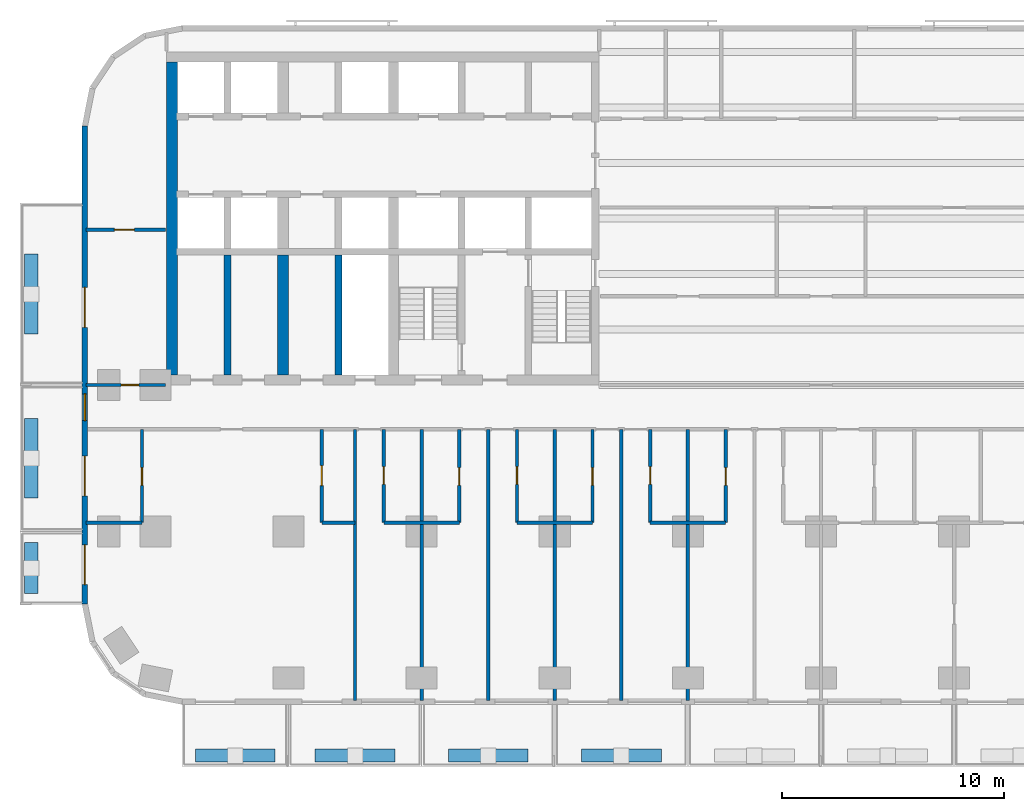
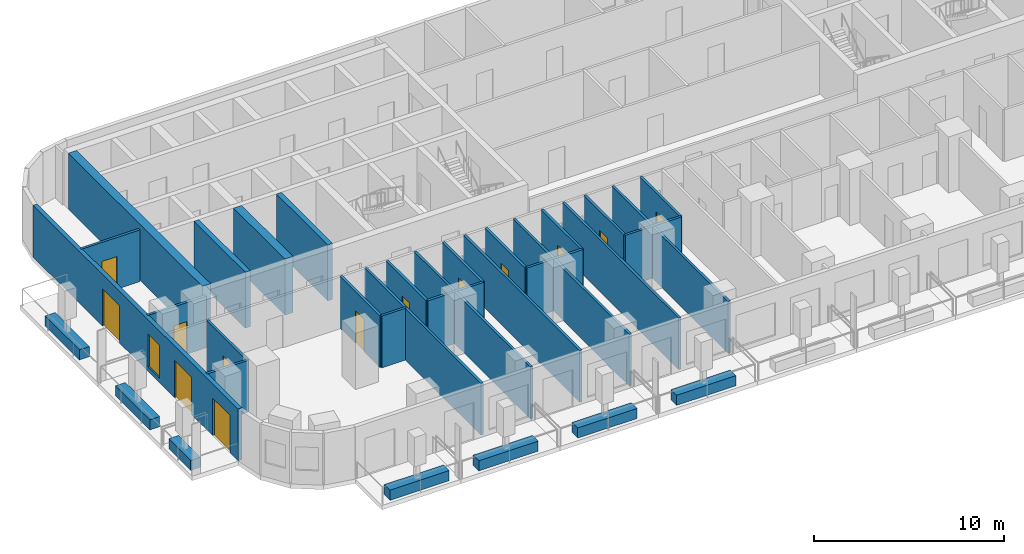
# One storey, part 2 of 13: 33 walls, 13 doors, 1 window, 14 openings.
"""IFC4 building model written with IfcOpenShell, lengths in metres."""

import ifcopenshell
import ifcopenshell.guid

model = None  # the IFC model being written
_history = None  # IfcOwnerHistory: only IFC2X3 demands one
_inside = {}  # id of a spatial element -> (the spatial element, [elements in it])
_under = {}  # id of a project, library or spatial element -> (it, [spatial elements below it])
_declared = {}  # id of a project -> (the project, [libraries it declares])
_typed = {}  # id of a type object -> (the type object, [elements of that type])
_made_of = {}  # id of a material, layer set ... -> (it, [elements and type objects made of it])


def new_model(schema):
    """Start an empty IFC model of exactly this schema.

    Asked for "IFC4X3", IfcOpenShell would pick the latest addendum, in which some entities
    have other attributes; the version numbers below select the first issue.
    IFC2X3 requires an IfcOwnerHistory on every rooted entity: one is made here for all.
    """
    global model, _history
    if schema == "IFC4X3":
        model = ifcopenshell.file(schema_version=(4, 3, 0, 0))
    else:
        model = ifcopenshell.file(schema=schema)
    _inside.clear()
    _under.clear()
    _declared.clear()
    _typed.clear()
    _made_of.clear()
    _history = None
    if model.schema == "IFC2X3":
        org = make("IfcOrganization", Name="unknown")
        user = make(
            "IfcPersonAndOrganization",
            ThePerson=make("IfcPerson", FamilyName="unknown"),
            TheOrganization=org,
        )
        app = make(
            "IfcApplication",
            ApplicationDeveloper=org,
            Version="unknown",
            ApplicationFullName="unknown",
            ApplicationIdentifier="unknown",
        )
        _history = make(
            "IfcOwnerHistory",
            OwningUser=user,
            OwningApplication=app,
            ChangeAction="ADDED",
            CreationDate=0,
        )
    return model


def make(cls, **values):
    """One entity of the class cls with the attributes given. An attribute that is None is left unset."""
    return model.create_entity(
        cls, **{name: value for name, value in values.items() if value is not None}
    )


def rooted(cls, **values):
    """An entity with a GlobalId (a new one), such as an element, a storey or a relation."""
    return make(cls, GlobalId=ifcopenshell.guid.new(), OwnerHistory=_history, **values)


def si_unit(unit_type, name, prefix=None):
    """IfcSIUnit, for example si_unit("LENGTHUNIT", "METRE", prefix="MILLI")."""
    return make("IfcSIUnit", UnitType=unit_type, Prefix=prefix, Name=name)


def assignment(units):
    """IfcUnitAssignment: the units of a project."""
    return None if units is None else make("IfcUnitAssignment", Units=units)


def point(xyz):
    """IfcCartesianPoint."""
    return None if xyz is None else make("IfcCartesianPoint", Coordinates=xyz)


def direction(xyz):
    """IfcDirection."""
    return None if xyz is None else make("IfcDirection", DirectionRatios=xyz)


def frame(location, z_axis=None, x_axis=None):
    """IfcAxis2Placement3D, a coordinate frame: its origin and axes. An axis left out is left unset."""
    return make(
        "IfcAxis2Placement3D",
        Location=point(location),
        Axis=direction(z_axis),
        RefDirection=direction(x_axis),
    )


def frame_2d(location, x_axis=None):
    """IfcAxis2Placement2D, a coordinate frame in the plane: its origin and x axis."""
    return make(
        "IfcAxis2Placement2D", Location=point(location), RefDirection=direction(x_axis)
    )


def origin():
    """The frame at (0, 0, 0) with its axes left unset."""
    return frame((0.0, 0.0, 0.0))


def place(relative_to, where):
    """IfcLocalPlacement: puts the frame where relative to a parent placement (None: the world)."""
    return make(
        "IfcLocalPlacement", PlacementRelTo=relative_to, RelativePlacement=where
    )


def context(
    kind, dimensions, precision=None, world=None, true_north=None, identifier=None
):
    """IfcGeometricRepresentationContext, for example the 3D "Model" context."""
    return make(
        "IfcGeometricRepresentationContext",
        ContextIdentifier=identifier,
        ContextType=kind,
        CoordinateSpaceDimension=dimensions,
        Precision=precision,
        WorldCoordinateSystem=world,
        TrueNorth=true_north,
    )


def subcontext(parent, identifier, kind, view, scale=None):
    """IfcGeometricRepresentationSubContext, for example "Body" below "Model"."""
    return make(
        "IfcGeometricRepresentationSubContext",
        ContextIdentifier=identifier,
        ContextType=kind,
        ParentContext=parent,
        TargetScale=scale,
        TargetView=view,
    )


def project(units=None, contexts=None):
    """IfcProject with its units and contexts."""
    return rooted(
        "IfcProject",
        Name="project",
        RepresentationContexts=contexts,
        UnitsInContext=assignment(units),
    )


def spatial(cls, under=None, at=None, **own):
    """A site, building, storey or space (cls), placed at a placement, below another one or the project."""
    s = rooted(cls, ObjectPlacement=at, **own)
    if under is not None:
        _under.setdefault(under.id(), (under, []))[1].append(s)
    return s


def profile(cls, at=None, kind="AREA", **sizes):
    """A parametric profile (cls). Its sizes go by their IFC names, for example OverallWidth=200.0."""
    return make(cls, ProfileType=kind, Position=at, **sizes)


def rectangle(**sizes):
    """IfcRectangleProfileDef."""
    return profile("IfcRectangleProfileDef", **sizes)


def extrude(swept, where, along, depth):
    """IfcExtrudedAreaSolid: the profile swept, set in the frame where, extruded along a direction by depth."""
    return make(
        "IfcExtrudedAreaSolid",
        SweptArea=swept,
        Position=where,
        ExtrudedDirection=direction(along),
        Depth=depth,
    )


def shape(context_of_items, identifier, shape_type, items):
    """IfcShapeRepresentation: the items that make up one representation, for example the "Body"."""
    return make(
        "IfcShapeRepresentation",
        ContextOfItems=context_of_items,
        RepresentationIdentifier=identifier,
        RepresentationType=shape_type,
        Items=items,
    )


def material(Name=None, Category=None):
    """IfcMaterial."""
    return make("IfcMaterial", Name=Name, Category=Category)


def layer(
    of_material, thickness, ventilated=None, Name=None, Category=None, Priority=None
):
    """IfcMaterialLayer: one layer of a wall or slab, of a material (None: an air gap)."""
    return make(
        "IfcMaterialLayer",
        Material=of_material,
        LayerThickness=thickness,
        IsVentilated=ventilated,
        Name=Name,
        Category=Category,
        Priority=Priority,
    )


def layer_set(layers, Name=None):
    """IfcMaterialLayerSet."""
    return make("IfcMaterialLayerSet", MaterialLayers=layers, LayerSetName=Name)


def made_of(thing, what):
    """Note that an element or type object is made of a material, layer set ...; save() writes the relation."""
    if what is not None:
        _made_of.setdefault(what.id(), (what, []))[1].append(thing)
    return thing


def type_object(cls, material=None, **own):
    """A type object (cls), such as IfcWallType, which elements share."""
    return made_of(rooted(cls, **own), material)


def element(
    cls,
    number,
    at=None,
    inside=None,
    cuts=None,
    type_object=None,
    material=None,
    context=None,
    identifier="Body",
    shape_type=None,
    held_by="IfcProductDefinitionShape",
    body=None,
    shapes=None,
    **own,
):
    """One element of the class cls, such as IfcWall. Its Tag is "e" and its number.

    at: its placement. inside: the storey or other place that contains it. cuts: it is an
    opening in that element (IfcRelVoidsElement). A single representation is given by context,
    identifier, shape_type and body (its items); several are given by shapes. held_by: the class
    of the entity that holds the representations. save() writes the other relations.
    """
    e = rooted(cls, Tag="e%d" % number, ObjectPlacement=at, **own)
    if body is not None:
        shapes = [shape(context, identifier, shape_type, body)]
    if shapes is not None:
        e.Representation = make(held_by, Representations=shapes)
    if inside is not None:
        _inside.setdefault(inside.id(), (inside, []))[1].append(e)
    if cuts is not None:
        rooted(
            "IfcRelVoidsElement", RelatingBuildingElement=cuts, RelatedOpeningElement=e
        )
    if type_object is not None:
        _typed.setdefault(type_object.id(), (type_object, []))[1].append(e)
    return made_of(e, material)


def fill(opening, filler):
    """IfcRelFillsElement: the door or window that sits in an opening."""
    return rooted(
        "IfcRelFillsElement",
        RelatingOpeningElement=opening,
        RelatedBuildingElement=filler,
    )


def aggregate(whole, parts):
    """IfcRelAggregates: a whole, such as a stair, and the parts it consists of."""
    return rooted("IfcRelAggregates", RelatingObject=whole, RelatedObjects=parts)


def save(model, path):
    """Write the relations noted so far, then the file.

    IfcRelAggregates (storeys below a building ...), IfcRelContainedInSpatialStructure (elements
    in a storey), IfcRelDefinesByType, IfcRelAssociatesMaterial and IfcRelDeclares: one each for
    every whole, place, type object, material and project.
    """
    for whole, parts in _under.values():
        aggregate(whole, parts)
    for where, things in _inside.values():
        rooted(
            "IfcRelContainedInSpatialStructure",
            RelatedElements=things,
            RelatingStructure=where,
        )
    for kind, things in _typed.values():
        rooted("IfcRelDefinesByType", RelatedObjects=things, RelatingType=kind)
    for what, things in _made_of.values():
        rooted("IfcRelAssociatesMaterial", RelatedObjects=things, RelatingMaterial=what)
    for by, libraries in _declared.values():
        rooted("IfcRelDeclares", RelatingContext=by, RelatedDefinitions=libraries)
    model.write(path)


model = new_model("IFC4")

# Units and contexts
model_context = context("Model", 3, precision=1e-05, world=origin(), true_north=direction((0.0, 1.0)))
body_context = subcontext(model_context, "Body", "Model", "MODEL_VIEW")
ifc_project = project(units=[si_unit("LENGTHUNIT", "METRE"), si_unit("AREAUNIT", "SQUARE_METRE"), si_unit("VOLUMEUNIT", "CUBIC_METRE"), si_unit("PLANEANGLEUNIT", "RADIAN"), si_unit("MASSUNIT", "GRAM", prefix="KILO")], contexts=[model_context])

# Site, building, storey
site_placement = place(None, origin())
site = spatial("IfcSite", under=ifc_project, at=site_placement, CompositionType="ELEMENT")
building_placement = place(site_placement, origin())
building = spatial("IfcBuilding", under=site, at=building_placement, Name="Torana Hotel and Residences", CompositionType="ELEMENT")
storey_placement = place(building_placement, frame((0.0, 0.0, 60.0)))
storey = spatial("IfcBuildingStorey", under=building, at=storey_placement, Name="L14", CompositionType="ELEMENT", Elevation=60.0)

# Walls
ifc_material_1 = material(Name="Concrete C80/95", Category="concrete")
ifc_layer_1 = layer(ifc_material_1, 0.300048828125)
ifc_layer_set_1 = layer_set([ifc_layer_1], Name="CORE WALL 300 C80/95")
wall_type_1 = type_object("IfcWallType", Name="CORE WALL 300 C80/95", PredefinedType="SHEAR", material=ifc_layer_set_1)
for number, where, z_axis, x_axis, name in (
    (1, (-21.75, -14.550048828125, 0.0), (0.0, 0.0, 1.0), (0.0, 1.0, 0.0), "Core wall W mm-band"),
    (2, (-26.75, -14.550048828125, 0.0), (0.0, 0.0, 1.0), (0.0, 1.0, 0.0), "Core wall W ll-band"),
):
    element("IfcWall", number, at=place(storey_placement, frame(where, z_axis=z_axis, x_axis=x_axis)), inside=storey, type_object=wall_type_1, Name=name, PredefinedType="SHEAR", context=body_context, shape_type="SweptSolid", body=[
        extrude(rectangle(XDim=5.400146484375, YDim=0.300048828125, at=frame_2d((2.7001953125, 0.0))), origin(), (0.0, 0.0, 1.0), 3.60009765625),
    ])
ifc_material_2 = material(Name="Concrete C80/95", Category="concrete")
ifc_layer_2 = layer(ifc_material_2, 0.5)
ifc_layer_set_2 = layer_set([ifc_layer_2], Name="CORE WALL 500 C80/95")
wall_type_2 = type_object("IfcWallType", Name="CORE WALL 500 C80/95", PredefinedType="SHEAR", material=ifc_layer_set_2)
wall_1_placement = place(storey_placement, frame((-29.25, -14.550048828125, 0.0), z_axis=(0.0, 0.0, 1.0), x_axis=(0.0, 1.0, 0.0)))
element("IfcWall", 3, at=wall_1_placement, inside=storey, type_object=wall_type_2, Name="Core wall W outer", PredefinedType="SHEAR", context=body_context, shape_type="SweptSolid", body=[
    extrude(rectangle(XDim=14.10009765625, YDim=0.5, at=frame_2d((7.050048828125, 0.0))), origin(), (0.0, 0.0, 1.0), 3.60009765625),
])
wall_2_placement = place(storey_placement, frame((-24.25, -14.550048828125, 0.0), z_axis=(0.0, 0.0, 1.0), x_axis=(0.0, 1.0, 0.0)))
element("IfcWall", 4, at=wall_2_placement, inside=storey, type_object=wall_type_2, Name="Core wall W ml-band", PredefinedType="SHEAR", context=body_context, shape_type="SweptSolid", body=[
    extrude(rectangle(XDim=5.400146484375, YDim=0.5, at=frame_2d((2.7001953125, 0.0))), origin(), (0.0, 0.0, 1.0), 3.60009765625),
])

# Wall, openings, doors, window
ifc_material_3 = material(Name="Black aluminium composite panel", Category="aluminium")
ifc_layer_3 = layer(ifc_material_3, 0.00390625, Name="Cladding", Category="cladding")
ifc_material_4 = material(Name="Ventilated air cavity")
ifc_layer_4 = layer(ifc_material_4, 0.0400390625, Name="Ventilated cavity", Category="cavity")
ifc_material_5 = material(Name="Mineral wool insulation")
ifc_layer_5 = layer(ifc_material_5, 0.090087890625, Name="Insulation", Category="insulation")
ifc_material_6 = material(Name="Steel S280GD", Category="steel")
ifc_layer_6 = layer(ifc_material_6, 0.092041015625, Name="Steel stud frame", Category="structure")
ifc_material_7 = material(Name="Fire rated plasterboard")
ifc_layer_7 = layer(ifc_material_7, 0.011962890625, Name="Inner board", Category="finish")
ifc_layer_8 = layer(ifc_material_7, 0.011962890625, Name="Second board", Category="finish")
ifc_layer_set_3 = layer_set([ifc_layer_3, ifc_layer_4, ifc_layer_5, ifc_layer_6, ifc_layer_7, ifc_layer_8], Name="EW1 EXTERNAL WALL BLACK METAL CLAD 250")
wall_type_3 = type_object("IfcWallType", Name="EW1 EXTERNAL WALL BLACK METAL CLAD 250", PredefinedType="SOLIDWALL", material=ifc_layer_set_3)
wall_3_placement = place(storey_placement, frame((-33.175048828125, -3.32470703125, 0.0), z_axis=(0.0, 0.0, 1.0), x_axis=(0.0, -1.0, 0.0)))
wall_3 = element("IfcWall", 5, at=wall_3_placement, inside=storey, type_object=wall_type_3, Name="External wall L14 e0.9", PredefinedType="SOLIDWALL", context=body_context, shape_type="SweptSolid", body=[
    extrude(rectangle(XDim=21.55078125, YDim=0.25, at=frame_2d((10.775390625, 0.0))), origin(), (0.0, 0.0, 1.0), 3.320068359375),
])
opening_1_placement = place(wall_3_placement, frame((7.275390625, 0.0, 0.0)))
opening_1 = element("IfcOpeningElement", 6, at=opening_1_placement, cuts=wall_3, Name="Opening L14-E14", PredefinedType="OPENING", context=body_context, shape_type="SweptSolid", body=[
    extrude(rectangle(XDim=1.800048828125, YDim=2.39990234375, at=frame_2d((0.89990234375, 1.199951171875))), frame((0.0, 0.135009765625, 0.0), z_axis=(0.0, -1.0, 0.0), x_axis=(1.0, 0.0, 0.0)), (0.0, 0.0, 1.0), 0.27001953125),
])
opening_2_placement = place(wall_3_placement, frame((12.075439453125, 0.0, 0.300048828125)))
opening_2 = element("IfcOpeningElement", 7, at=opening_2_placement, cuts=wall_3, Name="Opening W7", PredefinedType="OPENING", context=body_context, shape_type="SweptSolid", body=[
    extrude(rectangle(XDim=1.199951171875, YDim=2.10009765625, at=frame_2d((0.60009765625, 1.050048828125))), frame((0.0, 0.135009765625, 0.0), z_axis=(0.0, -1.0, 0.0), x_axis=(1.0, 0.0, 0.0)), (0.0, 0.0, 1.0), 0.27001953125),
])
opening_3_placement = place(wall_3_placement, frame((14.87548828125, 0.0, 0.0)))
opening_3 = element("IfcOpeningElement", 8, at=opening_3_placement, cuts=wall_3, Name="Opening L14-E15", PredefinedType="OPENING", context=body_context, shape_type="SweptSolid", body=[
    extrude(rectangle(XDim=1.800048828125, YDim=2.39990234375, at=frame_2d((0.89990234375, 1.199951171875))), frame((0.0, 0.135009765625, 0.0), z_axis=(0.0, -1.0, 0.0), x_axis=(1.0, 0.0, 0.0)), (0.0, 0.0, 1.0), 0.27001953125),
])
opening_4_placement = place(wall_3_placement, frame((18.87548828125, 0.0, 0.0)))
opening_4 = element("IfcOpeningElement", 9, at=opening_4_placement, cuts=wall_3, Name="Opening L14-E16", PredefinedType="OPENING", context=body_context, shape_type="SweptSolid", body=[
    extrude(rectangle(XDim=1.800048828125, YDim=2.39990234375, at=frame_2d((0.89990234375, 1.199951171875))), frame((0.0, 0.135009765625, 0.0), z_axis=(0.0, -1.0, 0.0), x_axis=(1.0, 0.0, 0.0)), (0.0, 0.0, 1.0), 0.27001953125),
])
ifc_material_8 = material(Name="Dark glass in black aluminium frame", Category="aluminium")
door_type_1 = type_object("IfcDoorType", Name="DB1 BALCONY DOOR 1800x2400", OperationType="DOUBLE_DOOR_SINGLE_SWING", PredefinedType="DOOR", material=ifc_material_8)
door_1_placement = place(opening_1_placement, origin())
door_1 = element("IfcDoor", 10, at=door_1_placement, inside=storey, type_object=door_type_1, Name="Balcony door L14", OperationType="DOUBLE_DOOR_SINGLE_SWING", OverallHeight=2.39990234375, OverallWidth=1.800048828125, PredefinedType="DOOR", context=body_context, shape_type="SweptSolid", body=[
    extrude(rectangle(XDim=1.800048828125, YDim=2.39990234375, at=frame_2d((0.89990234375, 1.199951171875))), frame((0.0, 0.02490234375, 0.0), z_axis=(0.0, -1.0, 0.0), x_axis=(1.0, 0.0, 0.0)), (0.0, 0.0, 1.0), 0.050048828125),
])
fill(opening_1, door_1)
door_2_placement = place(opening_3_placement, origin())
door_2 = element("IfcDoor", 11, at=door_2_placement, inside=storey, type_object=door_type_1, Name="Balcony door L14", OperationType="DOUBLE_DOOR_SINGLE_SWING", OverallHeight=2.39990234375, OverallWidth=1.800048828125, PredefinedType="DOOR", context=body_context, shape_type="SweptSolid", body=[
    extrude(rectangle(XDim=1.800048828125, YDim=2.39990234375, at=frame_2d((0.89990234375, 1.199951171875))), frame((0.0, 0.02490234375, 0.0), z_axis=(0.0, -1.0, 0.0), x_axis=(1.0, 0.0, 0.0)), (0.0, 0.0, 1.0), 0.050048828125),
])
fill(opening_3, door_2)
door_3_placement = place(opening_4_placement, frame((0.89990234375, 0.0, 0.0), z_axis=(0.0, 0.0, 1.0), x_axis=(-1.0, 0.0, 0.0)))
door_3 = element("IfcDoor", 12, at=door_3_placement, inside=storey, type_object=door_type_1, Name="Balcony door L14", OperationType="DOUBLE_DOOR_SINGLE_SWING", OverallHeight=2.39990234375, OverallWidth=1.800048828125, PredefinedType="DOOR", context=body_context, shape_type="SweptSolid", body=[
    extrude(rectangle(XDim=1.800048828125, YDim=2.39990234375, at=frame_2d((0.0, 1.199951171875))), frame((0.0, -0.02490234375, 0.0), z_axis=(0.0, 1.0, 0.0), x_axis=(-1.0, 0.0, 0.0)), (0.0, 0.0, 1.0), 0.050048828125),
])
fill(opening_4, door_3)
ifc_material_9 = material(Name="Dark glass in black aluminium frame", Category="aluminium")
window_type = type_object("IfcWindowType", Name="W7 HOTEL CORRIDOR WINDOW 1200x2100", PartitioningType="SINGLE_PANEL", PredefinedType="WINDOW", material=ifc_material_9)
window_placement = place(opening_2_placement, origin())
window = element("IfcWindow", 13, at=window_placement, inside=storey, type_object=window_type, Name="Window L14", OverallHeight=2.10009765625, OverallWidth=1.199951171875, PartitioningType="SINGLE_PANEL", PredefinedType="WINDOW", context=body_context, shape_type="SweptSolid", body=[
    extrude(rectangle(XDim=1.199951171875, YDim=2.10009765625, at=frame_2d((0.60009765625, 1.050048828125))), frame((0.0, 0.030029296875, 0.0), z_axis=(0.0, -1.0, 0.0), x_axis=(1.0, 0.0, 0.0)), (0.0, 0.0, 1.0), 0.06005859375),
])
fill(opening_2, window)

# Wall, opening, door
ifc_material_10 = material(Name="Gypsum plaster")
ifc_layer_9 = layer(ifc_material_10, 0.014892578125, Name="Plaster", Category="finish")
ifc_material_11 = material(Name="Concrete blockwork", Category="masonry")
ifc_layer_10 = layer(ifc_material_11, 0.1201171875, Name="Blockwork", Category="structure")
ifc_layer_11 = layer(ifc_material_10, 0.014892578125, Name="Plaster", Category="finish")
ifc_layer_set_4 = layer_set([ifc_layer_9, ifc_layer_10, ifc_layer_11], Name="FIRE PARTITION 150 BLOCKWORK")
wall_type_4 = type_object("IfcWallType", Name="FIRE PARTITION 150 BLOCKWORK", PredefinedType="PARTITIONING", material=ifc_layer_set_4)
wall_4_placement = place(storey_placement, frame((-33.1201171875, -15.0, 0.0), z_axis=(0.0, 0.0, 1.0), x_axis=(1.0, 0.0, 0.0)))
wall_4 = element("IfcWall", 14, at=wall_4_placement, inside=storey, type_object=wall_type_4, Name="Partition L14", PredefinedType="PARTITIONING", context=body_context, shape_type="SweptSolid", body=[
    extrude(rectangle(XDim=3.570068359375, YDim=0.14990234375, at=frame_2d((1.78515625, 0.0))), origin(), (0.0, 0.0, 1.0), 3.320068359375),
])
opening_5_placement = place(wall_4_placement, frame((1.580078125, 0.0, 0.0)))
opening_5 = element("IfcOpeningElement", 15, at=opening_5_placement, cuts=wall_4, Name="Opening L14-46", PredefinedType="OPENING", context=body_context, shape_type="SweptSolid", body=[
    extrude(rectangle(XDim=0.800048828125, YDim=2.10009765625, at=frame_2d((0.39990234375, 1.050048828125))), frame((0.0, 0.0849609375, 0.0), z_axis=(0.0, -1.0, 0.0), x_axis=(1.0, 0.0, 0.0)), (0.0, 0.0, 1.0), 0.169921875),
])
ifc_material_12 = material(Name="Steel S235", Category="steel")
door_type_2 = type_object("IfcDoorType", Name="STORE FIRE DOOR D16 800x2100", OperationType="SINGLE_SWING_LEFT", PredefinedType="DOOR", material=ifc_material_12)
door_4_placement = place(opening_5_placement, origin())
door_4 = element("IfcDoor", 16, at=door_4_placement, inside=storey, type_object=door_type_2, Name="Door L14", OperationType="SINGLE_SWING_RIGHT", OverallHeight=2.10009765625, OverallWidth=0.800048828125, PredefinedType="DOOR", context=body_context, shape_type="SweptSolid", body=[
    extrude(rectangle(XDim=0.800048828125, YDim=2.10009765625, at=frame_2d((0.39990234375, 1.050048828125))), frame((0.0, 0.02490234375, 0.0), z_axis=(0.0, -1.0, 0.0), x_axis=(1.0, 0.0, 0.0)), (0.0, 0.0, 1.0), 0.050048828125),
])
fill(opening_5, door_4)

ifc_material_13 = material(Name="Gypsum plasterboard")
ifc_layer_12 = layer(ifc_material_13, 0.012451171875, Name="Plasterboard", Category="finish")
ifc_layer_13 = layer(ifc_material_13, 0.012451171875, Name="Plasterboard", Category="finish")
ifc_layer_14 = layer(ifc_material_6, 0.10009765625, Name="Steel studs with mineral wool", Category="insulation")
ifc_layer_15 = layer(ifc_material_13, 0.012451171875, Name="Plasterboard", Category="finish")
ifc_layer_16 = layer(ifc_material_13, 0.012451171875, Name="Plasterboard", Category="finish")
ifc_layer_set_5 = layer_set([ifc_layer_12, ifc_layer_13, ifc_layer_14, ifc_layer_15, ifc_layer_16], Name="PARTITION 150 PLASTERBOARD")
wall_type_5 = type_object("IfcWallType", Name="PARTITION 150 PLASTERBOARD", PredefinedType="PARTITIONING", material=ifc_layer_set_5)
wall_5_placement = place(storey_placement, frame((-4.300048828125, -21.199951171875, 0.0), z_axis=(0.0, 0.0, 1.0), x_axis=(0.0, 1.0, 0.0)))
wall_5 = element("IfcWall", 17, at=wall_5_placement, inside=storey, type_object=wall_type_5, Name="Partition L14", PredefinedType="PARTITIONING", context=body_context, shape_type="SweptSolid", body=[
    extrude(rectangle(XDim=4.199951171875, YDim=0.14990234375, at=frame_2d((2.10009765625, 0.0))), origin(), (0.0, 0.0, 1.0), 3.320068359375),
])
opening_6_placement = place(wall_5_placement, frame((1.679931640625, 0.0, 0.0)))
opening_6 = element("IfcOpeningElement", 18, at=opening_6_placement, cuts=wall_5, Name="Opening L14-61", PredefinedType="OPENING", context=body_context, shape_type="SweptSolid", body=[
    extrude(rectangle(XDim=0.800048828125, YDim=2.10009765625, at=frame_2d((0.39990234375, 1.050048828125))), frame((0.0, 0.0849609375, 0.0), z_axis=(0.0, -1.0, 0.0), x_axis=(1.0, 0.0, 0.0)), (0.0, 0.0, 1.0), 0.169921875),
])
ifc_material_14 = material(Name="Timber door, painted", Category="wood")
door_type_3 = type_object("IfcDoorType", Name="BATH DOOR D13 800x2100", OperationType="SINGLE_SWING_LEFT", PredefinedType="DOOR", material=ifc_material_14)
door_5_placement = place(opening_6_placement, origin())
door_5 = element("IfcDoor", 19, at=door_5_placement, inside=storey, type_object=door_type_3, Name="Door L14", OperationType="SINGLE_SWING_RIGHT", OverallHeight=2.10009765625, OverallWidth=0.800048828125, PredefinedType="DOOR", context=body_context, shape_type="SweptSolid", body=[
    extrude(rectangle(XDim=0.800048828125, YDim=2.10009765625, at=frame_2d((0.39990234375, 1.050048828125))), frame((0.0, 0.02490234375, 0.0), z_axis=(0.0, -1.0, 0.0), x_axis=(1.0, 0.0, 0.0)), (0.0, 0.0, 1.0), 0.050048828125),
])
fill(opening_6, door_5)

# Wall
wall_6_placement = place(storey_placement, frame((-6.0, -29.219970703125, 0.0), z_axis=(0.0, 0.0, 1.0), x_axis=(0.0, 1.0, 0.0)))
element("IfcWall", 20, at=wall_6_placement, inside=storey, type_object=wall_type_5, Name="Partition L14", PredefinedType="PARTITIONING", context=body_context, shape_type="SweptSolid", body=[
    extrude(rectangle(XDim=12.219970703125, YDim=0.14990234375, at=frame_2d((6.10986328125, 0.0))), origin(), (0.0, 0.0, 1.0), 3.320068359375),
])

# Wall, opening, door
wall_7_placement = place(storey_placement, frame((-7.699951171875, -21.199951171875, 0.0), z_axis=(0.0, 0.0, 1.0), x_axis=(0.0, 1.0, 0.0)))
wall_7 = element("IfcWall", 21, at=wall_7_placement, inside=storey, type_object=wall_type_5, Name="Partition L14", PredefinedType="PARTITIONING", context=body_context, shape_type="SweptSolid", body=[
    extrude(rectangle(XDim=4.199951171875, YDim=0.14990234375, at=frame_2d((2.10009765625, 0.0))), origin(), (0.0, 0.0, 1.0), 3.320068359375),
])
opening_7_placement = place(wall_7_placement, frame((1.719970703125, 0.0, 0.0)))
opening_7 = element("IfcOpeningElement", 22, at=opening_7_placement, cuts=wall_7, Name="Opening L14-60", PredefinedType="OPENING", context=body_context, shape_type="SweptSolid", body=[
    extrude(rectangle(XDim=0.800048828125, YDim=2.10009765625, at=frame_2d((0.39990234375, 1.050048828125))), frame((0.0, 0.0849609375, 0.0), z_axis=(0.0, -1.0, 0.0), x_axis=(1.0, 0.0, 0.0)), (0.0, 0.0, 1.0), 0.169921875),
])
door_6_placement = place(opening_7_placement, origin())
door_6 = element("IfcDoor", 23, at=door_6_placement, inside=storey, type_object=door_type_3, Name="Door L14", OperationType="SINGLE_SWING_RIGHT", OverallHeight=2.10009765625, OverallWidth=0.800048828125, PredefinedType="DOOR", context=body_context, shape_type="SweptSolid", body=[
    extrude(rectangle(XDim=0.800048828125, YDim=2.10009765625, at=frame_2d((0.39990234375, 1.050048828125))), frame((0.0, 0.02490234375, 0.0), z_axis=(0.0, -1.0, 0.0), x_axis=(1.0, 0.0, 0.0)), (0.0, 0.0, 1.0), 0.050048828125),
])
fill(opening_7, door_6)

# Wall
wall_8_placement = place(storey_placement, frame((-9.0, -29.219970703125, 0.0), z_axis=(0.0, 0.0, 1.0), x_axis=(0.0, 1.0, 0.0)))
element("IfcWall", 24, at=wall_8_placement, inside=storey, type_object=wall_type_5, Name="Partition L14", PredefinedType="PARTITIONING", context=body_context, shape_type="SweptSolid", body=[
    extrude(rectangle(XDim=12.219970703125, YDim=0.14990234375, at=frame_2d((6.10986328125, 0.0))), origin(), (0.0, 0.0, 1.0), 3.320068359375),
])

# Wall, opening, door
wall_9_placement = place(storey_placement, frame((-10.300048828125, -21.199951171875, 0.0), z_axis=(0.0, 0.0, 1.0), x_axis=(0.0, 1.0, 0.0)))
wall_9 = element("IfcWall", 25, at=wall_9_placement, inside=storey, type_object=wall_type_5, Name="Partition L14", PredefinedType="PARTITIONING", context=body_context, shape_type="SweptSolid", body=[
    extrude(rectangle(XDim=4.199951171875, YDim=0.14990234375, at=frame_2d((2.10009765625, 0.0))), origin(), (0.0, 0.0, 1.0), 3.320068359375),
])
opening_8_placement = place(wall_9_placement, frame((1.679931640625, 0.0, 0.0)))
opening_8 = element("IfcOpeningElement", 26, at=opening_8_placement, cuts=wall_9, Name="Opening L14-59", PredefinedType="OPENING", context=body_context, shape_type="SweptSolid", body=[
    extrude(rectangle(XDim=0.800048828125, YDim=2.10009765625, at=frame_2d((0.39990234375, 1.050048828125))), frame((0.0, 0.0849609375, 0.0), z_axis=(0.0, -1.0, 0.0), x_axis=(1.0, 0.0, 0.0)), (0.0, 0.0, 1.0), 0.169921875),
])
door_7_placement = place(opening_8_placement, origin())
door_7 = element("IfcDoor", 27, at=door_7_placement, inside=storey, type_object=door_type_3, Name="Door L14", OperationType="SINGLE_SWING_RIGHT", OverallHeight=2.10009765625, OverallWidth=0.800048828125, PredefinedType="DOOR", context=body_context, shape_type="SweptSolid", body=[
    extrude(rectangle(XDim=0.800048828125, YDim=2.10009765625, at=frame_2d((0.39990234375, 1.050048828125))), frame((0.0, 0.02490234375, 0.0), z_axis=(0.0, -1.0, 0.0), x_axis=(1.0, 0.0, 0.0)), (0.0, 0.0, 1.0), 0.050048828125),
])
fill(opening_8, door_7)

# Wall
wall_10_placement = place(storey_placement, frame((-12.0, -29.219970703125, 0.0), z_axis=(0.0, 0.0, 1.0), x_axis=(0.0, 1.0, 0.0)))
element("IfcWall", 28, at=wall_10_placement, inside=storey, type_object=wall_type_5, Name="Partition L14", PredefinedType="PARTITIONING", context=body_context, shape_type="SweptSolid", body=[
    extrude(rectangle(XDim=12.219970703125, YDim=0.14990234375, at=frame_2d((6.10986328125, 0.0))), origin(), (0.0, 0.0, 1.0), 3.320068359375),
])

# Wall, opening, door
wall_11_placement = place(storey_placement, frame((-13.699951171875, -21.199951171875, 0.0), z_axis=(0.0, 0.0, 1.0), x_axis=(0.0, 1.0, 0.0)))
wall_11 = element("IfcWall", 29, at=wall_11_placement, inside=storey, type_object=wall_type_5, Name="Partition L14", PredefinedType="PARTITIONING", context=body_context, shape_type="SweptSolid", body=[
    extrude(rectangle(XDim=4.199951171875, YDim=0.14990234375, at=frame_2d((2.10009765625, 0.0))), origin(), (0.0, 0.0, 1.0), 3.320068359375),
])
opening_9_placement = place(wall_11_placement, frame((1.719970703125, 0.0, 0.0)))
opening_9 = element("IfcOpeningElement", 30, at=opening_9_placement, cuts=wall_11, Name="Opening L14-58", PredefinedType="OPENING", context=body_context, shape_type="SweptSolid", body=[
    extrude(rectangle(XDim=0.800048828125, YDim=2.10009765625, at=frame_2d((0.39990234375, 1.050048828125))), frame((0.0, 0.0849609375, 0.0), z_axis=(0.0, -1.0, 0.0), x_axis=(1.0, 0.0, 0.0)), (0.0, 0.0, 1.0), 0.169921875),
])
door_8_placement = place(opening_9_placement, origin())
door_8 = element("IfcDoor", 31, at=door_8_placement, inside=storey, type_object=door_type_3, Name="Door L14", OperationType="SINGLE_SWING_RIGHT", OverallHeight=2.10009765625, OverallWidth=0.800048828125, PredefinedType="DOOR", context=body_context, shape_type="SweptSolid", body=[
    extrude(rectangle(XDim=0.800048828125, YDim=2.10009765625, at=frame_2d((0.39990234375, 1.050048828125))), frame((0.0, 0.02490234375, 0.0), z_axis=(0.0, -1.0, 0.0), x_axis=(1.0, 0.0, 0.0)), (0.0, 0.0, 1.0), 0.050048828125),
])
fill(opening_9, door_8)

# Wall
wall_12_placement = place(storey_placement, frame((-15.0, -29.219970703125, 0.0), z_axis=(0.0, 0.0, 1.0), x_axis=(0.0, 1.0, 0.0)))
element("IfcWall", 32, at=wall_12_placement, inside=storey, type_object=wall_type_5, Name="Partition L14", PredefinedType="PARTITIONING", context=body_context, shape_type="SweptSolid", body=[
    extrude(rectangle(XDim=12.219970703125, YDim=0.14990234375, at=frame_2d((6.10986328125, 0.0))), origin(), (0.0, 0.0, 1.0), 3.320068359375),
])

# Wall, opening, door
wall_13_placement = place(storey_placement, frame((-16.300048828125, -21.199951171875, 0.0), z_axis=(0.0, 0.0, 1.0), x_axis=(0.0, 1.0, 0.0)))
wall_13 = element("IfcWall", 33, at=wall_13_placement, inside=storey, type_object=wall_type_5, Name="Partition L14", PredefinedType="PARTITIONING", context=body_context, shape_type="SweptSolid", body=[
    extrude(rectangle(XDim=4.199951171875, YDim=0.14990234375, at=frame_2d((2.10009765625, 0.0))), origin(), (0.0, 0.0, 1.0), 3.320068359375),
])
opening_10_placement = place(wall_13_placement, frame((1.679931640625, 0.0, 0.0)))
opening_10 = element("IfcOpeningElement", 34, at=opening_10_placement, cuts=wall_13, Name="Opening L14-57", PredefinedType="OPENING", context=body_context, shape_type="SweptSolid", body=[
    extrude(rectangle(XDim=0.800048828125, YDim=2.10009765625, at=frame_2d((0.39990234375, 1.050048828125))), frame((0.0, 0.0849609375, 0.0), z_axis=(0.0, -1.0, 0.0), x_axis=(1.0, 0.0, 0.0)), (0.0, 0.0, 1.0), 0.169921875),
])
door_9_placement = place(opening_10_placement, origin())
door_9 = element("IfcDoor", 35, at=door_9_placement, inside=storey, type_object=door_type_3, Name="Door L14", OperationType="SINGLE_SWING_RIGHT", OverallHeight=2.10009765625, OverallWidth=0.800048828125, PredefinedType="DOOR", context=body_context, shape_type="SweptSolid", body=[
    extrude(rectangle(XDim=0.800048828125, YDim=2.10009765625, at=frame_2d((0.39990234375, 1.050048828125))), frame((0.0, 0.02490234375, 0.0), z_axis=(0.0, -1.0, 0.0), x_axis=(1.0, 0.0, 0.0)), (0.0, 0.0, 1.0), 0.050048828125),
])
fill(opening_10, door_9)

# Wall
wall_14_placement = place(storey_placement, frame((-18.0, -29.219970703125, 0.0), z_axis=(0.0, 0.0, 1.0), x_axis=(0.0, 1.0, 0.0)))
element("IfcWall", 36, at=wall_14_placement, inside=storey, type_object=wall_type_5, Name="Partition L14", PredefinedType="PARTITIONING", context=body_context, shape_type="SweptSolid", body=[
    extrude(rectangle(XDim=12.219970703125, YDim=0.14990234375, at=frame_2d((6.10986328125, 0.0))), origin(), (0.0, 0.0, 1.0), 3.320068359375),
])

# Wall, opening, door
wall_15_placement = place(storey_placement, frame((-19.699951171875, -21.199951171875, 0.0), z_axis=(0.0, 0.0, 1.0), x_axis=(0.0, 1.0, 0.0)))
wall_15 = element("IfcWall", 37, at=wall_15_placement, inside=storey, type_object=wall_type_5, Name="Partition L14", PredefinedType="PARTITIONING", context=body_context, shape_type="SweptSolid", body=[
    extrude(rectangle(XDim=4.199951171875, YDim=0.14990234375, at=frame_2d((2.10009765625, 0.0))), origin(), (0.0, 0.0, 1.0), 3.320068359375),
])
opening_11_placement = place(wall_15_placement, frame((1.719970703125, 0.0, 0.0)))
opening_11 = element("IfcOpeningElement", 38, at=opening_11_placement, cuts=wall_15, Name="Opening L14-56", PredefinedType="OPENING", context=body_context, shape_type="SweptSolid", body=[
    extrude(rectangle(XDim=0.800048828125, YDim=2.10009765625, at=frame_2d((0.39990234375, 1.050048828125))), frame((0.0, 0.0849609375, 0.0), z_axis=(0.0, -1.0, 0.0), x_axis=(1.0, 0.0, 0.0)), (0.0, 0.0, 1.0), 0.169921875),
])
door_10_placement = place(opening_11_placement, origin())
door_10 = element("IfcDoor", 39, at=door_10_placement, inside=storey, type_object=door_type_3, Name="Door L14", OperationType="SINGLE_SWING_RIGHT", OverallHeight=2.10009765625, OverallWidth=0.800048828125, PredefinedType="DOOR", context=body_context, shape_type="SweptSolid", body=[
    extrude(rectangle(XDim=0.800048828125, YDim=2.10009765625, at=frame_2d((0.39990234375, 1.050048828125))), frame((0.0, 0.02490234375, 0.0), z_axis=(0.0, -1.0, 0.0), x_axis=(1.0, 0.0, 0.0)), (0.0, 0.0, 1.0), 0.050048828125),
])
fill(opening_11, door_10)

# Wall
wall_16_placement = place(storey_placement, frame((-21.0, -29.219970703125, 0.0), z_axis=(0.0, 0.0, 1.0), x_axis=(0.0, 1.0, 0.0)))
element("IfcWall", 40, at=wall_16_placement, inside=storey, type_object=wall_type_5, Name="Partition L14", PredefinedType="PARTITIONING", context=body_context, shape_type="SweptSolid", body=[
    extrude(rectangle(XDim=12.219970703125, YDim=0.14990234375, at=frame_2d((6.10986328125, 0.0))), origin(), (0.0, 0.0, 1.0), 3.320068359375),
])

# Wall, opening, door
wall_17_placement = place(storey_placement, frame((-22.5, -21.199951171875, 0.0), z_axis=(0.0, 0.0, 1.0), x_axis=(0.0, 1.0, 0.0)))
wall_17 = element("IfcWall", 41, at=wall_17_placement, inside=storey, type_object=wall_type_5, Name="Partition L14", PredefinedType="PARTITIONING", context=body_context, shape_type="SweptSolid", body=[
    extrude(rectangle(XDim=4.199951171875, YDim=0.14990234375, at=frame_2d((2.10009765625, 0.0))), origin(), (0.0, 0.0, 1.0), 3.320068359375),
])
opening_12_placement = place(wall_17_placement, frame((1.669921875, 0.0, 0.0)))
opening_12 = element("IfcOpeningElement", 42, at=opening_12_placement, cuts=wall_17, Name="Opening L14-71", PredefinedType="OPENING", context=body_context, shape_type="SweptSolid", body=[
    extrude(rectangle(XDim=0.89990234375, YDim=2.10009765625, at=frame_2d((0.449951171875, 1.050048828125))), frame((0.0, 0.0849609375, 0.0), z_axis=(0.0, -1.0, 0.0), x_axis=(1.0, 0.0, 0.0)), (0.0, 0.0, 1.0), 0.169921875),
])
ifc_material_15 = material(Name="Timber door, oiled ash", Category="wood")
door_type_4 = type_object("IfcDoorType", Name="ROOM DOOR D7 900x2100", OperationType="SINGLE_SWING_LEFT", PredefinedType="DOOR", material=ifc_material_15)
door_11_placement = place(opening_12_placement, origin())
door_11 = element("IfcDoor", 43, at=door_11_placement, inside=storey, type_object=door_type_4, Name="Door L14", OperationType="SINGLE_SWING_RIGHT", OverallHeight=2.10009765625, OverallWidth=0.89990234375, PredefinedType="DOOR", context=body_context, shape_type="SweptSolid", body=[
    extrude(rectangle(XDim=0.89990234375, YDim=2.10009765625, at=frame_2d((0.449951171875, 1.050048828125))), frame((0.0, 0.02490234375, 0.0), z_axis=(0.0, -1.0, 0.0), x_axis=(1.0, 0.0, 0.0)), (0.0, 0.0, 1.0), 0.050048828125),
])
fill(opening_12, door_11)

wall_18_placement = place(storey_placement, frame((-30.60009765625, -21.199951171875, 0.0), z_axis=(0.0, 0.0, 1.0), x_axis=(0.0, 1.0, 0.0)))
wall_18 = element("IfcWall", 44, at=wall_18_placement, inside=storey, type_object=wall_type_5, Name="Partition L14", PredefinedType="PARTITIONING", context=body_context, shape_type="SweptSolid", body=[
    extrude(rectangle(XDim=4.199951171875, YDim=0.14990234375, at=frame_2d((2.10009765625, 0.0))), origin(), (0.0, 0.0, 1.0), 3.320068359375),
])
opening_13_placement = place(wall_18_placement, frame((1.679931640625, 0.0, 0.0)))
opening_13 = element("IfcOpeningElement", 45, at=opening_13_placement, cuts=wall_18, Name="Opening L14-72", PredefinedType="OPENING", context=body_context, shape_type="SweptSolid", body=[
    extrude(rectangle(XDim=0.800048828125, YDim=2.10009765625, at=frame_2d((0.39990234375, 1.050048828125))), frame((0.0, 0.0849609375, 0.0), z_axis=(0.0, -1.0, 0.0), x_axis=(1.0, 0.0, 0.0)), (0.0, 0.0, 1.0), 0.169921875),
])
door_12_placement = place(opening_13_placement, origin())
door_12 = element("IfcDoor", 46, at=door_12_placement, inside=storey, type_object=door_type_3, Name="Door L14", OperationType="SINGLE_SWING_RIGHT", OverallHeight=2.10009765625, OverallWidth=0.800048828125, PredefinedType="DOOR", context=body_context, shape_type="SweptSolid", body=[
    extrude(rectangle(XDim=0.800048828125, YDim=2.10009765625, at=frame_2d((0.39990234375, 1.050048828125))), frame((0.0, 0.02490234375, 0.0), z_axis=(0.0, -1.0, 0.0), x_axis=(1.0, 0.0, 0.0)), (0.0, 0.0, 1.0), 0.050048828125),
])
fill(opening_13, door_12)

# Walls
wall_19_placement = place(storey_placement, frame((-33.1201171875, -21.199951171875, 0.0), z_axis=(0.0, 0.0, 1.0), x_axis=(1.0, 0.0, 0.0)))
element("IfcWall", 47, at=wall_19_placement, inside=storey, type_object=wall_type_5, Name="Partition L14", PredefinedType="PARTITIONING", context=body_context, shape_type="SweptSolid", body=[
    extrude(rectangle(XDim=2.52001953125, YDim=0.14990234375, at=frame_2d((1.260009765625, 0.0))), origin(), (0.0, 0.0, 1.0), 3.320068359375),
])
wall_20_placement = place(storey_placement, frame((-22.5, -21.199951171875, 0.0), z_axis=(0.0, 0.0, 1.0), x_axis=(1.0, 0.0, 0.0)))
element("IfcWall", 48, at=wall_20_placement, inside=storey, type_object=wall_type_5, Name="Partition L14", PredefinedType="PARTITIONING", context=body_context, shape_type="SweptSolid", body=[
    extrude(rectangle(XDim=1.5, YDim=0.14990234375, at=frame_2d((0.75, 0.0))), origin(), (0.0, 0.0, 1.0), 3.320068359375),
])
for number, where, z_axis, x_axis, name in (
    (49, (-19.699951171875, -21.199951171875, 0.0), (0.0, 0.0, 1.0), (1.0, 0.0, 0.0), "Partition L14"),
    (50, (-13.699951171875, -21.199951171875, 0.0), (0.0, 0.0, 1.0), (1.0, 0.0, 0.0), "Partition L14"),
    (51, (-7.699951171875, -21.199951171875, 0.0), (0.0, 0.0, 1.0), (1.0, 0.0, 0.0), "Partition L14"),
):
    element("IfcWall", number, at=place(storey_placement, frame(where, z_axis=z_axis, x_axis=x_axis)), inside=storey, type_object=wall_type_5, Name=name, PredefinedType="PARTITIONING", context=body_context, shape_type="SweptSolid", body=[
        extrude(rectangle(XDim=3.39990234375, YDim=0.14990234375, at=frame_2d((1.699951171875, 0.0))), origin(), (0.0, 0.0, 1.0), 3.320068359375),
    ])

# Wall, opening, door
wall_21_placement = place(storey_placement, frame((-33.1201171875, -8.0, 0.0), z_axis=(0.0, 0.0, 1.0), x_axis=(1.0, 0.0, 0.0)))
wall_21 = element("IfcWall", 52, at=wall_21_placement, inside=storey, type_object=wall_type_5, Name="Partition L14", PredefinedType="PARTITIONING", context=body_context, shape_type="SweptSolid", body=[
    extrude(rectangle(XDim=3.570068359375, YDim=0.14990234375, at=frame_2d((1.78515625, 0.0))), origin(), (0.0, 0.0, 1.0), 3.320068359375),
])
opening_14_placement = place(wall_21_placement, frame((1.27001953125, 0.0, 0.0)))
opening_14 = element("IfcOpeningElement", 53, at=opening_14_placement, cuts=wall_21, Name="Opening L14-75", PredefinedType="OPENING", context=body_context, shape_type="SweptSolid", body=[
    extrude(rectangle(XDim=0.89990234375, YDim=2.10009765625, at=frame_2d((0.449951171875, 1.050048828125))), frame((0.0, 0.0849609375, 0.0), z_axis=(0.0, -1.0, 0.0), x_axis=(1.0, 0.0, 0.0)), (0.0, 0.0, 1.0), 0.169921875),
])
door_13_placement = place(opening_14_placement, origin())
door_13 = element("IfcDoor", 54, at=door_13_placement, inside=storey, type_object=door_type_4, Name="Door L14", OperationType="SINGLE_SWING_RIGHT", OverallHeight=2.10009765625, OverallWidth=0.89990234375, PredefinedType="DOOR", context=body_context, shape_type="SweptSolid", body=[
    extrude(rectangle(XDim=0.89990234375, YDim=2.10009765625, at=frame_2d((0.449951171875, 1.050048828125))), frame((0.0, 0.02490234375, 0.0), z_axis=(0.0, -1.0, 0.0), x_axis=(1.0, 0.0, 0.0)), (0.0, 0.0, 1.0), 0.050048828125),
])
fill(opening_14, door_13)

# Walls
ifc_material_16 = material(Name="Concrete C40/50 precast", Category="concrete")
ifc_layer_17 = layer(ifc_material_16, 0.10009765625, Name="Planter shell", Category="structure")
ifc_material_17 = material(Name="Root resistant membrane")
ifc_layer_18 = layer(ifc_material_17, 0.00390625, Name="Waterproofing membrane", Category="membrane")
ifc_material_18 = material(Name="Drainage board with filter fleece")
ifc_layer_19 = layer(ifc_material_18, 0.02001953125, Name="Drainage board", Category="drainage")
ifc_material_19 = material(Name="Growing medium")
ifc_layer_20 = layer(ifc_material_19, 0.47607421875, Name="Planting substrate", Category="soil")
ifc_layer_set_6 = layer_set([ifc_layer_17, ifc_layer_18, ifc_layer_19, ifc_layer_20], Name="PL1 BALCONY PLANTER 600")
wall_type_6 = type_object("IfcWallType", Name="PL1 BALCONY PLANTER 600", PredefinedType="USERDEFINED", material=ifc_layer_set_6)
wall_22_placement = place(storey_placement, frame((-24.60009765625, -31.699951171875, 0.0), z_axis=(0.0, 0.0, 1.0), x_axis=(-1.0, 0.0, 0.0)))
element("IfcWall", 55, at=wall_22_placement, inside=storey, type_object=wall_type_6, Name="Planter 01", ObjectType="PLANTER", PredefinedType="USERDEFINED", context=body_context, shape_type="SweptSolid", body=[
    extrude(rectangle(XDim=3.599853515625, YDim=0.60009765625, at=frame_2d((1.7998046875, 0.0))), origin(), (0.0, 0.0, 1.0), 0.64990234375),
])
for number, where, z_axis, x_axis, name in (
    (56, (-19.199951171875, -31.699951171875, 0.0), (0.0, 0.0, 1.0), (-1.0, 0.0, 0.0), "Planter 02"),
    (57, (-13.199951171875, -31.699951171875, 0.0), (0.0, 0.0, 1.0), (-1.0, 0.0, 0.0), "Planter 03"),
    (58, (-7.199951171875, -31.699951171875, 0.0), (0.0, 0.0, 1.0), (-1.0, 0.0, 0.0), "Planter 04"),
):
    element("IfcWall", number, at=place(storey_placement, frame(where, z_axis=z_axis, x_axis=x_axis)), inside=storey, type_object=wall_type_6, Name=name, ObjectType="PLANTER", PredefinedType="USERDEFINED", context=body_context, shape_type="SweptSolid", body=[
        extrude(rectangle(XDim=3.60009765625, YDim=0.60009765625, at=frame_2d((1.800048828125, 0.0))), origin(), (0.0, 0.0, 1.0), 0.64990234375),
    ])
wall_23_placement = place(storey_placement, frame((-35.60009765625, -24.39990234375, 0.0), z_axis=(0.0, 0.0, 1.0), x_axis=(0.0, 1.0, 0.0)))
element("IfcWall", 59, at=wall_23_placement, inside=storey, type_object=wall_type_6, Name="Planter 11", ObjectType="PLANTER", PredefinedType="USERDEFINED", context=body_context, shape_type="SweptSolid", body=[
    extrude(rectangle(XDim=2.2998046875, YDim=0.60009765625, at=frame_2d((1.14990234375, 0.0))), origin(), (0.0, 0.0, 1.0), 0.64990234375),
])
wall_24_placement = place(storey_placement, frame((-35.60009765625, -20.10009765625, 0.0), z_axis=(0.0, 0.0, 1.0), x_axis=(0.0, 1.0, 0.0)))
element("IfcWall", 60, at=wall_24_placement, inside=storey, type_object=wall_type_6, Name="Planter 12", ObjectType="PLANTER", PredefinedType="USERDEFINED", context=body_context, shape_type="SweptSolid", body=[
    extrude(rectangle(XDim=3.60009765625, YDim=0.60009765625, at=frame_2d((1.800048828125, 0.0))), origin(), (0.0, 0.0, 1.0), 0.64990234375),
])
wall_25_placement = place(storey_placement, frame((-35.60009765625, -12.699951171875, 0.0), z_axis=(0.0, 0.0, 1.0), x_axis=(0.0, 1.0, 0.0)))
element("IfcWall", 61, at=wall_25_placement, inside=storey, type_object=wall_type_6, Name="Planter 13", ObjectType="PLANTER", PredefinedType="USERDEFINED", context=body_context, shape_type="SweptSolid", body=[
    extrude(rectangle(XDim=3.599853515625, YDim=0.60009765625, at=frame_2d((1.7998046875, 0.0))), origin(), (0.0, 0.0, 1.0), 0.64990234375),
])

save(model, "model.ifc")
